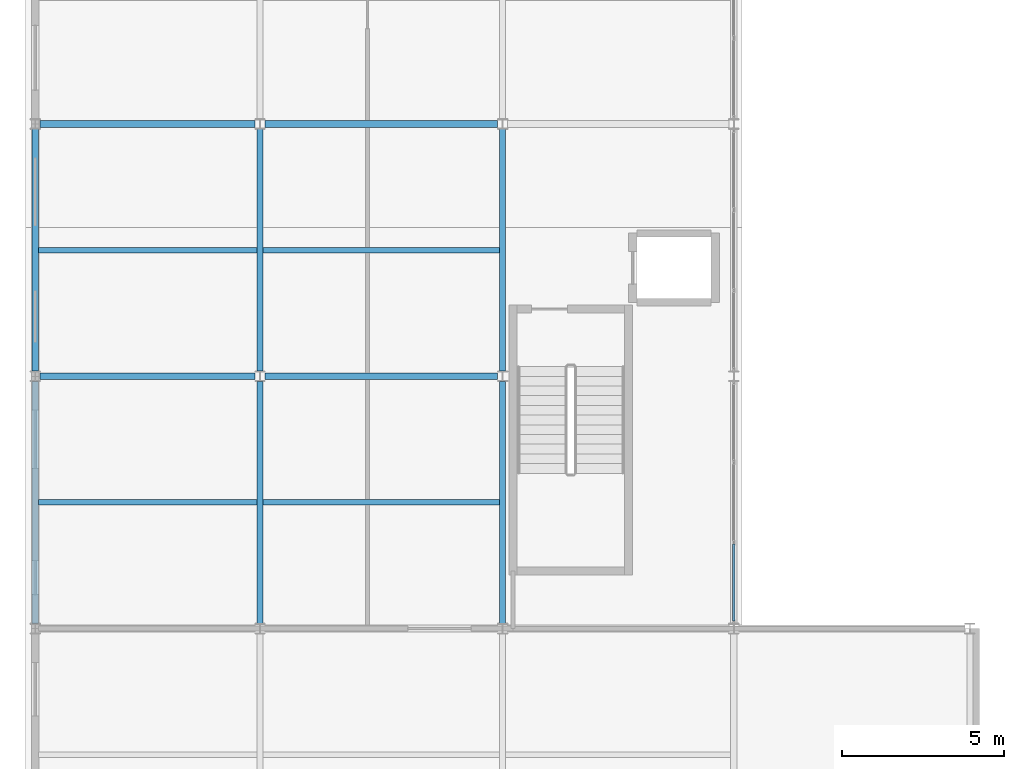
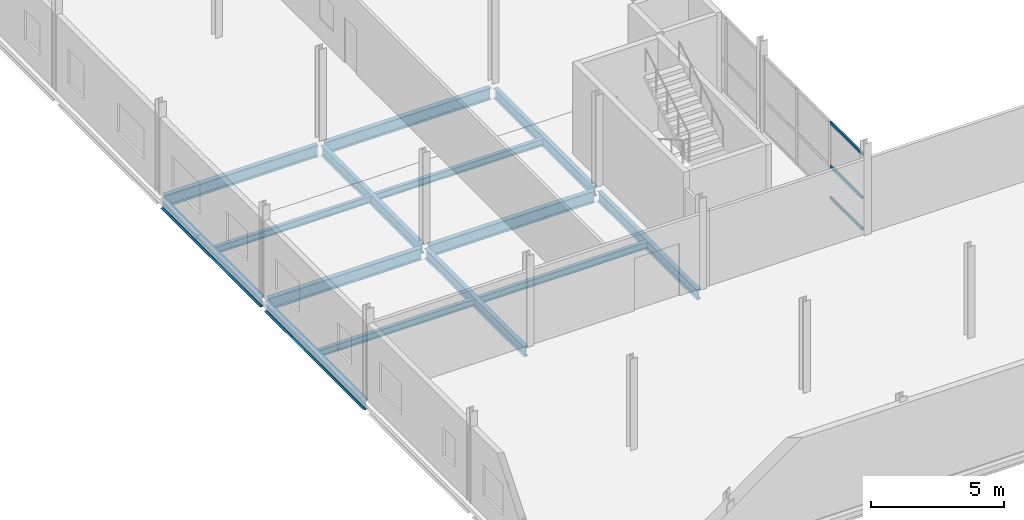
# One storey, part 6 of 65: 14 beams, 3 members, 1 element without a shape of its own.
"""IFC4 building model written with IfcOpenShell, lengths in metres."""

from ifc_helpers import new_model, si_unit, direction, frame, origin, origin_2d, place, context, subcontext, project, spatial, hollow_rectangle, i_section, extrude, material, layer, layer_set, material_profile, profile_set, type_object, element, aggregate, save


model = new_model("IFC4")

# Units and contexts
model_context = context("Model", 3, precision=1e-05, world=origin(), true_north=direction((0.0, 1.0)))
body_context = subcontext(model_context, "Body", "Model", "MODEL_VIEW")
ifc_project = project(units=[si_unit("LENGTHUNIT", "METRE"), si_unit("AREAUNIT", "SQUARE_METRE"), si_unit("VOLUMEUNIT", "CUBIC_METRE"), si_unit("PLANEANGLEUNIT", "RADIAN"), si_unit("MASSUNIT", "GRAM", prefix="KILO")], contexts=[model_context])

# Site, building, storey
site_placement = place(None, origin())
site = spatial("IfcSite", under=ifc_project, at=site_placement, CompositionType="ELEMENT")
building_placement = place(site_placement, origin())
building = spatial("IfcBuilding", under=site, at=building_placement, Name="Quillay Park Conservatory", CompositionType="ELEMENT")
storey_placement = place(building_placement, frame((0.0, 0.0, 14.10009765625)))
storey = spatial("IfcBuildingStorey", under=building, at=storey_placement, Name="L03", CompositionType="ELEMENT", Elevation=14.10009765625)

# Beams
ifc_material_1 = material(Name="Steel ASTM A992 Grade 50", Category="steel")
ifc_material_profile_1 = material_profile(ifc_material_1, i_section(OverallWidth=0.166015625, OverallDepth=0.31298828125, WebThickness=0.006591796875, FlangeThickness=0.01123046875, FilletRadius=0.010009765625, at=origin_2d()), Name="W310x45")
ifc_profile_set_1 = profile_set([ifc_material_profile_1], Name="Steel ASTM A992 Grade 50")
beam_type_1 = type_object("IfcBeamType", Name="COMPOSITE FLOOR JOIST W310 X45", PredefinedType="JOIST", material=ifc_profile_set_1)
beam_1_placement = place(storey_placement, frame((0.64599609375, 19.5, -0.341552734375), z_axis=(1.0, 0.0, 0.0), x_axis=(0.0, 1.0, 0.0)))
element("IfcBeam", 1, at=beam_1_placement, inside=storey, type_object=beam_type_1, Name="L03 beam BM-V3J-1459", PredefinedType="JOIST", context=body_context, shape_type="SweptSolid", body=[
    extrude(i_section(OverallWidth=0.166015625, OverallDepth=0.31298828125, WebThickness=0.006591796875, FlangeThickness=0.01123046875, FilletRadius=0.010009765625, at=origin_2d()), origin(), (0.0, 0.0, 1.0), 6.758056640625),
])
beam_2_placement = place(storey_placement, frame((7.595947265625, 19.5, -0.341552734375), z_axis=(1.0, 0.0, 0.0), x_axis=(0.0, 1.0, 0.0)))
element("IfcBeam", 2, at=beam_2_placement, inside=storey, type_object=beam_type_1, Name="L03 beam BM-V3J-1460", PredefinedType="JOIST", context=body_context, shape_type="SweptSolid", body=[
    extrude(i_section(OverallWidth=0.166015625, OverallDepth=0.31298828125, WebThickness=0.006591796875, FlangeThickness=0.01123046875, FilletRadius=0.010009765625, at=origin_2d()), origin(), (0.0, 0.0, 1.0), 7.30810546875),
])
beam_3_placement = place(storey_placement, frame((0.64599609375, 27.300048828125, -0.341552734375), z_axis=(1.0, 0.0, 0.0), x_axis=(0.0, 1.0, 0.0)))
element("IfcBeam", 3, at=beam_3_placement, inside=storey, type_object=beam_type_1, Name="L03 beam BM-V3J-1461", PredefinedType="JOIST", context=body_context, shape_type="SweptSolid", body=[
    extrude(i_section(OverallWidth=0.166015625, OverallDepth=0.31298828125, WebThickness=0.006591796875, FlangeThickness=0.01123046875, FilletRadius=0.010009765625, at=origin_2d()), origin(), (0.0, 0.0, 1.0), 6.758056640625),
])
beam_4_placement = place(storey_placement, frame((7.595947265625, 27.300048828125, -0.341552734375), z_axis=(1.0, 0.0, 0.0), x_axis=(0.0, 1.0, 0.0)))
element("IfcBeam", 4, at=beam_4_placement, inside=storey, type_object=beam_type_1, Name="L03 beam BM-V3J-1462", PredefinedType="JOIST", context=body_context, shape_type="SweptSolid", body=[
    extrude(i_section(OverallWidth=0.166015625, OverallDepth=0.31298828125, WebThickness=0.006591796875, FlangeThickness=0.01123046875, FilletRadius=0.010009765625, at=origin_2d()), origin(), (0.0, 0.0, 1.0), 7.30810546875),
])

# Curtain wall, members
ifc_material_2 = material(Name="Thermally Broken Anodised Aluminium 6063-T6", Category="aluminium")
ifc_layer = layer(ifc_material_2, 0.1650390625)
ifc_layer_set = layer_set([ifc_layer], Name="UNITISED CURTAIN WALL PODIUM (Thermally Broken Anodised Aluminium 6063-T6)")
curtain_wall_type = type_object("IfcCurtainWallType", Name="UNITISED CURTAIN WALL PODIUM", PredefinedType="USERDEFINED", material=ifc_layer_set)
curtain_wall_placement = place(storey_placement, origin())
curtain_wall = element("IfcCurtainWall", 5, at=curtain_wall_placement, inside=storey, type_object=curtain_wall_type, Name="L03 Unitised Curtain Wall 210", ObjectType="UNITISED CURTAIN WALL", PredefinedType="USERDEFINED")
ifc_material_3 = material(Name="Thermally Broken Anodised Aluminium 6063-T6", Category="aluminium")
ifc_material_profile_2 = material_profile(ifc_material_3, hollow_rectangle(XDim=0.070068359375, YDim=0.1298828125, WallThickness=0.003173828125, at=origin_2d()), Name="AL70x130x3.2")
ifc_profile_set_2 = profile_set([ifc_material_profile_2], Name="Thermally Broken Anodised Aluminium 6063-T6")
member_type = type_object("IfcMemberType", Name="CURTAIN WALL TRANSOM 70 X130", PredefinedType="USERDEFINED", material=ifc_profile_set_2)
member_1_placement = place(storey_placement, frame((22.14990234375, 18.21826171875, 0.034912109375), z_axis=(0.0, -1.0, 0.0), x_axis=(1.0, 0.0, 0.0)))
member_1 = element("IfcMember", 6, at=member_1_placement, type_object=member_type, Name="CW-P1 transom 3.1", ObjectType="TRANSOM", PredefinedType="USERDEFINED", context=body_context, shape_type="SweptSolid", body=[
    extrude(hollow_rectangle(XDim=0.070068359375, YDim=0.1298828125, WallThickness=0.003173828125, at=origin_2d()), origin(), (0.0, 0.0, 1.0), 2.38818359375),
])
member_2_placement = place(storey_placement, frame((22.14990234375, 18.21826171875, 1.475830078125), z_axis=(0.0, -1.0, 0.0), x_axis=(1.0, 0.0, 0.0)))
member_2 = element("IfcMember", 7, at=member_2_placement, type_object=member_type, Name="CW-P1 transom 3.2", ObjectType="TRANSOM", PredefinedType="USERDEFINED", context=body_context, shape_type="SweptSolid", body=[
    extrude(hollow_rectangle(XDim=0.070068359375, YDim=0.1298828125, WallThickness=0.003173828125, at=origin_2d()), origin(), (0.0, 0.0, 1.0), 2.38818359375),
])
member_3_placement = place(storey_placement, frame((22.14990234375, 18.21826171875, 3.47900390625), z_axis=(0.0, -1.0, 0.0), x_axis=(1.0, 0.0, 0.0)))
member_3 = element("IfcMember", 8, at=member_3_placement, type_object=member_type, Name="CW-P1 transom 3.3", ObjectType="TRANSOM", PredefinedType="USERDEFINED", context=body_context, shape_type="SweptSolid", body=[
    extrude(hollow_rectangle(XDim=0.070068359375, YDim=0.1298828125, WallThickness=0.003173828125, at=origin_2d()), origin(), (0.0, 0.0, 1.0), 2.38818359375),
])
aggregate(curtain_wall, [member_1, member_2, member_3])

# Beams
ifc_material_4 = material(Name="Steel ASTM A992 Grade 50", Category="steel")
ifc_material_profile_3 = material_profile(ifc_material_4, i_section(OverallWidth=0.19189453125, OverallDepth=0.462890625, WebThickness=0.010498046875, FlangeThickness=0.017578125, FilletRadius=0.012939453125, at=origin_2d()), Name="W460x89")
ifc_profile_set_3 = profile_set([ifc_material_profile_3], Name="Steel ASTM A992 Grade 50")
beam_type_2 = type_object("IfcBeamType", Name="PRIMARY FLOOR GIRDER W460 X89", PredefinedType="BEAM", material=ifc_profile_set_3)
beam_5_placement = place(storey_placement, frame((0.550048828125, 15.757080078125, -0.41650390625), z_axis=(0.0, 1.0, 0.0), x_axis=(-1.0, 0.0, 0.0)))
element("IfcBeam", 9, at=beam_5_placement, inside=storey, type_object=beam_type_2, Name="L03 beam BM-V3Y-1425", PredefinedType="BEAM", context=body_context, shape_type="SweptSolid", body=[
    extrude(i_section(OverallWidth=0.19189453125, OverallDepth=0.462890625, WebThickness=0.010498046875, FlangeThickness=0.017578125, FilletRadius=0.012939453125, at=origin_2d()), origin(), (0.0, 0.0, 1.0), 7.48583984375),
])
beam_6_placement = place(storey_placement, frame((0.550048828125, 23.556884765625, -0.41650390625), z_axis=(0.0, 1.0, 0.0), x_axis=(-1.0, 0.0, 0.0)))
element("IfcBeam", 10, at=beam_6_placement, inside=storey, type_object=beam_type_2, Name="L03 beam BM-V3Y-1426", PredefinedType="BEAM", context=body_context, shape_type="SweptSolid", body=[
    extrude(i_section(OverallWidth=0.19189453125, OverallDepth=0.462890625, WebThickness=0.010498046875, FlangeThickness=0.017578125, FilletRadius=0.012939453125, at=origin_2d()), origin(), (0.0, 0.0, 1.0), 7.486083984375),
])
beam_7_placement = place(storey_placement, frame((7.5, 15.757080078125, -0.41650390625), z_axis=(0.0, 1.0, 0.0), x_axis=(-1.0, 0.0, 0.0)))
element("IfcBeam", 11, at=beam_7_placement, inside=storey, type_object=beam_type_2, Name="L03 beam BM-V3Y-1432", PredefinedType="BEAM", context=body_context, shape_type="SweptSolid", body=[
    extrude(i_section(OverallWidth=0.19189453125, OverallDepth=0.462890625, WebThickness=0.010498046875, FlangeThickness=0.017578125, FilletRadius=0.012939453125, at=origin_2d()), origin(), (0.0, 0.0, 1.0), 7.48583984375),
])
beam_8_placement = place(storey_placement, frame((7.5, 23.556884765625, -0.41650390625), z_axis=(0.0, 1.0, 0.0), x_axis=(-1.0, 0.0, 0.0)))
element("IfcBeam", 12, at=beam_8_placement, inside=storey, type_object=beam_type_2, Name="L03 beam BM-V3Y-1433", PredefinedType="BEAM", context=body_context, shape_type="SweptSolid", body=[
    extrude(i_section(OverallWidth=0.19189453125, OverallDepth=0.462890625, WebThickness=0.010498046875, FlangeThickness=0.017578125, FilletRadius=0.012939453125, at=origin_2d()), origin(), (0.0, 0.0, 1.0), 7.486083984375),
])
beam_9_placement = place(storey_placement, frame((15.0, 15.757080078125, -0.41650390625), z_axis=(0.0, 1.0, 0.0), x_axis=(-1.0, 0.0, 0.0)))
element("IfcBeam", 13, at=beam_9_placement, inside=storey, type_object=beam_type_2, Name="L03 beam BM-V3Y-1439", PredefinedType="BEAM", context=body_context, shape_type="SweptSolid", body=[
    extrude(i_section(OverallWidth=0.19189453125, OverallDepth=0.462890625, WebThickness=0.010498046875, FlangeThickness=0.017578125, FilletRadius=0.012939453125, at=origin_2d()), origin(), (0.0, 0.0, 1.0), 7.48583984375),
])
beam_10_placement = place(storey_placement, frame((15.0, 23.556884765625, -0.41650390625), z_axis=(0.0, 1.0, 0.0), x_axis=(-1.0, 0.0, 0.0)))
element("IfcBeam", 14, at=beam_10_placement, inside=storey, type_object=beam_type_2, Name="L03 beam BM-V3Y-1440", PredefinedType="BEAM", context=body_context, shape_type="SweptSolid", body=[
    extrude(i_section(OverallWidth=0.19189453125, OverallDepth=0.462890625, WebThickness=0.010498046875, FlangeThickness=0.017578125, FilletRadius=0.012939453125, at=origin_2d()), origin(), (0.0, 0.0, 1.0), 7.486083984375),
])
ifc_material_5 = material(Name="Steel ASTM A992 Grade 50", Category="steel")
ifc_material_profile_4 = material_profile(ifc_material_5, i_section(OverallWidth=0.2109375, OverallDepth=0.5390625, WebThickness=0.01171875, FlangeThickness=0.018798828125, FilletRadius=0.013916015625, at=origin_2d()), Name="W530x109")
ifc_profile_set_4 = profile_set([ifc_material_profile_4], Name="Steel ASTM A992 Grade 50")
beam_type_3 = type_object("IfcBeamType", Name="PRIMARY FLOOR GIRDER W530 X109", PredefinedType="BEAM", material=ifc_profile_set_4)
beam_11_placement = place(storey_placement, frame((0.70361328125, 23.39990234375, -0.45458984375), z_axis=(1.0, 0.0, 0.0), x_axis=(0.0, 1.0, 0.0)))
element("IfcBeam", 15, at=beam_11_placement, inside=storey, type_object=beam_type_3, Name="L03 beam BM-V3X-1410", PredefinedType="BEAM", context=body_context, shape_type="SweptSolid", body=[
    extrude(i_section(OverallWidth=0.2109375, OverallDepth=0.5390625, WebThickness=0.01171875, FlangeThickness=0.018798828125, FilletRadius=0.013916015625, at=origin_2d()), origin(), (0.0, 0.0, 1.0), 6.642822265625),
])
beam_12_placement = place(storey_placement, frame((7.653564453125, 23.39990234375, -0.45458984375), z_axis=(1.0, 0.0, 0.0), x_axis=(0.0, 1.0, 0.0)))
element("IfcBeam", 16, at=beam_12_placement, inside=storey, type_object=beam_type_3, Name="L03 beam BM-V3X-1411", PredefinedType="BEAM", context=body_context, shape_type="SweptSolid", body=[
    extrude(i_section(OverallWidth=0.2109375, OverallDepth=0.5390625, WebThickness=0.01171875, FlangeThickness=0.018798828125, FilletRadius=0.013916015625, at=origin_2d()), origin(), (0.0, 0.0, 1.0), 7.19287109375),
])
beam_13_placement = place(storey_placement, frame((0.70361328125, 31.199951171875, -0.45458984375), z_axis=(1.0, 0.0, 0.0), x_axis=(0.0, 1.0, 0.0)))
element("IfcBeam", 17, at=beam_13_placement, inside=storey, type_object=beam_type_3, Name="L03 beam BM-V3X-1412", PredefinedType="BEAM", context=body_context, shape_type="SweptSolid", body=[
    extrude(i_section(OverallWidth=0.2109375, OverallDepth=0.5390625, WebThickness=0.01171875, FlangeThickness=0.018798828125, FilletRadius=0.013916015625, at=origin_2d()), origin(), (0.0, 0.0, 1.0), 6.642822265625),
])
beam_14_placement = place(storey_placement, frame((7.653564453125, 31.199951171875, -0.45458984375), z_axis=(1.0, 0.0, 0.0), x_axis=(0.0, 1.0, 0.0)))
element("IfcBeam", 18, at=beam_14_placement, inside=storey, type_object=beam_type_3, Name="L03 beam BM-V3X-1413", PredefinedType="BEAM", context=body_context, shape_type="SweptSolid", body=[
    extrude(i_section(OverallWidth=0.2109375, OverallDepth=0.5390625, WebThickness=0.01171875, FlangeThickness=0.018798828125, FilletRadius=0.013916015625, at=origin_2d()), origin(), (0.0, 0.0, 1.0), 7.19287109375),
])

save(model, "model.ifc")
